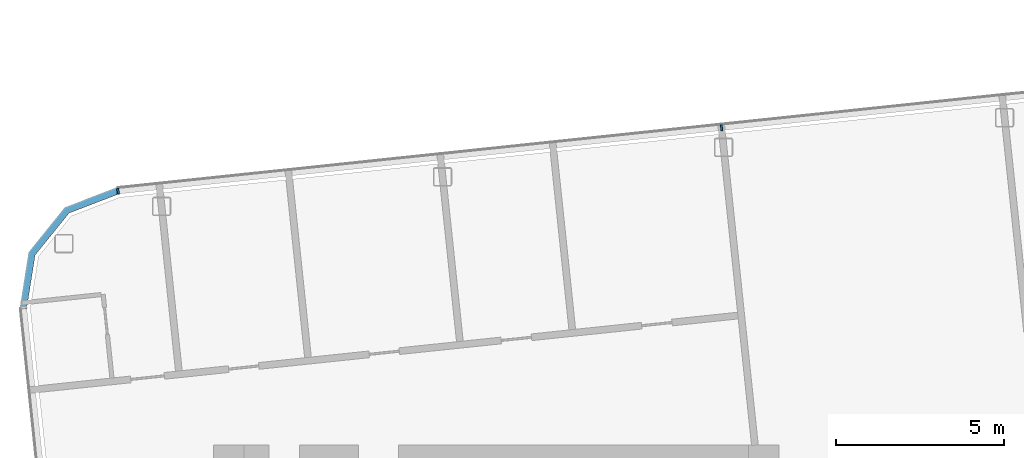
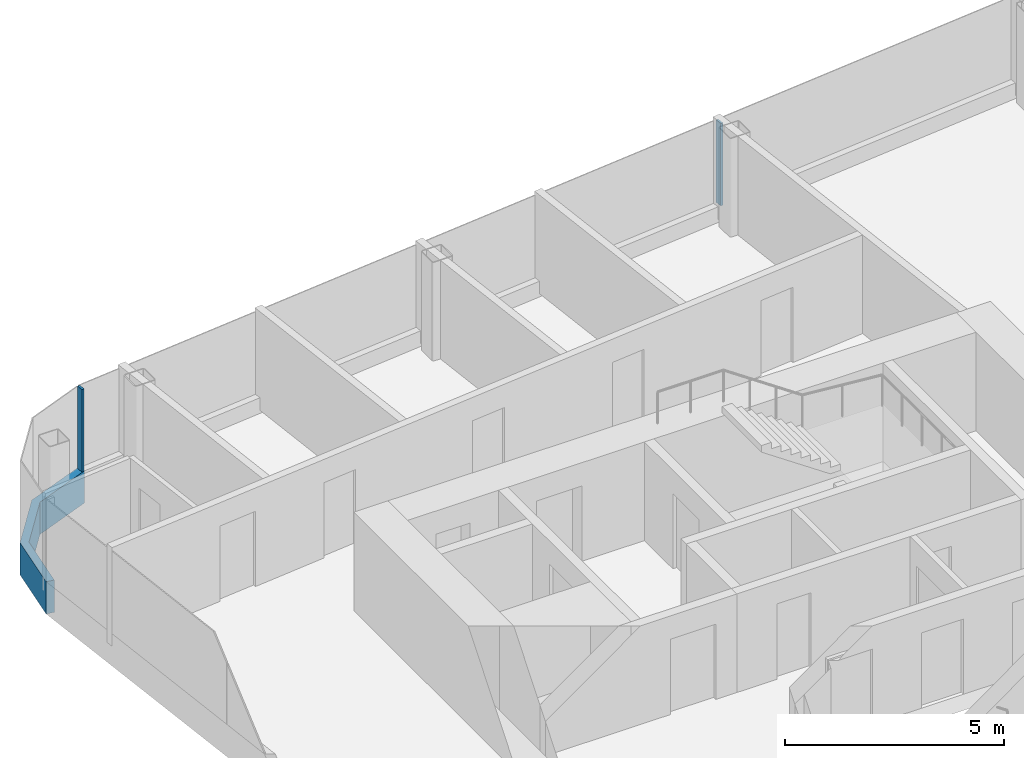
# One storey, part 8 of 27: 3 members, 2 elements without a shape of their own.
"""IFC4 building model written with IfcOpenShell, lengths in metres."""

from ifc_helpers import new_model, si_unit, direction, frame, origin, origin_2d, place, context, subcontext, project, spatial, polyline, rectangle, outline, extrude, material, layer, layer_set, material_profile, profile_set, type_object, element, aggregate, save


model = new_model("IFC4")

# Units and contexts
model_context = context("Model", 3, precision=1e-05, world=origin(), true_north=direction((0.0, 1.0)))
body_context = subcontext(model_context, "Body", "Model", "MODEL_VIEW")
ifc_project = project(units=[si_unit("LENGTHUNIT", "METRE"), si_unit("AREAUNIT", "SQUARE_METRE"), si_unit("VOLUMEUNIT", "CUBIC_METRE"), si_unit("PLANEANGLEUNIT", "RADIAN"), si_unit("MASSUNIT", "GRAM", prefix="KILO")], contexts=[model_context])

# Site, building, storey
site_placement = place(None, origin())
site = spatial("IfcSite", under=ifc_project, at=site_placement, CompositionType="ELEMENT")
building_placement = place(site_placement, origin())
building = spatial("IfcBuilding", under=site, at=building_placement, Name="Hakoniwa Tower and Hamabe Station Hall", CompositionType="ELEMENT")
storey_placement = place(building_placement, frame((0.0, 0.0, 248.60009765625)))
storey = spatial("IfcBuildingStorey", under=building, at=storey_placement, Name="L70", CompositionType="ELEMENT", Elevation=248.60009765625)

# Curtain wall, member
ifc_material_1 = material(Name="Dark low-e laminated glass", Category="glass")
ifc_layer = layer(ifc_material_1, 0.199951171875)
ifc_layer_set = layer_set([ifc_layer], Name="CW-1 UNITISED GUEST")
curtain_wall_type = type_object("IfcCurtainWallType", Name="CW-1 UNITISED GUEST", PredefinedType="NOTDEFINED", material=ifc_layer_set)
curtain_wall_1_placement = place(storey_placement, origin())
curtain_wall_1 = element("IfcCurtainWall", 1, at=curtain_wall_1_placement, inside=storey, type_object=curtain_wall_type, Name="CW-1 curtain wall", PredefinedType="NOTDEFINED")
ifc_material_2 = material(Name="Aluminium 6063-T5 black anodised", Category="aluminium")
ifc_material_profile_1 = material_profile(ifc_material_2, rectangle(XDim=0.199951171875, YDim=0.89990234375, at=origin_2d()), Name="CW SLAB-EDGE BAND 900X200")
ifc_profile_set_1 = profile_set([ifc_material_profile_1], Name="Aluminium 6063-T5 black anodised")
member_type_1 = type_object("IfcMemberType", Name="CW SLAB-EDGE BAND 900X200", PredefinedType="USERDEFINED", material=ifc_profile_set_1)
member_1_placement = place(storey_placement, frame((0.0, 0.0, -0.550048828125)))
member_1 = element("IfcMember", 2, at=member_1_placement, type_object=member_type_1, Name="CW-1 transom", ObjectType="TRANSOM", PredefinedType="USERDEFINED", context=body_context, shape_type="SweptSolid", body=[
    extrude(outline(polyline([(-36.45703125, 16.0634765625), (-38.0185546875, 15.464111328125), (-39.09716796875, 14.13232421875), (-39.35888671875, 12.47998046875), (-39.161376953125, 12.44873046875), (-38.907958984375, 14.048095703125), (-37.89697265625, 15.296630859375), (-36.38525390625, 15.876708984375), (-36.45703125, 16.0634765625)])), origin(), (0.0, 0.0, 1.0), 0.89990234375),
])
aggregate(curtain_wall_1, [member_1])

# Curtain wall, members
curtain_wall_2_placement = place(storey_placement, origin())
curtain_wall_2 = element("IfcCurtainWall", 3, at=curtain_wall_2_placement, inside=storey, type_object=curtain_wall_type, Name="CW-1 curtain wall", PredefinedType="NOTDEFINED")
ifc_material_3 = material(Name="Aluminium 6063-T5 black anodised", Category="aluminium")
ifc_material_profile_2 = material_profile(ifc_material_3, rectangle(XDim=0.06005859375, YDim=0.179931640625, at=origin_2d()), Name="CW-1 MULLION 60X180")
ifc_profile_set_2 = profile_set([ifc_material_profile_2], Name="Aluminium 6063-T5 black anodised")
member_type_2 = type_object("IfcMemberType", Name="CW-1 MULLION 60X180", PredefinedType="MULLION", material=ifc_profile_set_2)
member_2_placement = place(storey_placement, frame((-18.50390625, 17.831787109375, 0.349853515625), z_axis=(0.0, 0.0, 1.0), x_axis=(-0.994521895272, -0.104528464188, 0.0)))
member_2 = element("IfcMember", 4, at=member_2_placement, type_object=member_type_2, Name="CW-1 mullion", PredefinedType="MULLION", context=body_context, shape_type="SweptSolid", body=[
    extrude(rectangle(XDim=0.06005859375, YDim=0.179931640625, at=origin_2d()), origin(), (0.0, 0.0, 1.0), 2.300048828125),
])
member_3_placement = place(storey_placement, frame((-36.444580078125, 15.946044921875, 0.349853515625), z_axis=(0.0, 0.0, 1.0), x_axis=(-0.994521895272, -0.104528464188, 0.0)))
member_3 = element("IfcMember", 5, at=member_3_placement, type_object=member_type_2, Name="CW-1 mullion", PredefinedType="MULLION", context=body_context, shape_type="SweptSolid", body=[
    extrude(rectangle(XDim=0.06005859375, YDim=0.179931640625, at=origin_2d()), origin(), (0.0, 0.0, 1.0), 2.300048828125),
])
aggregate(curtain_wall_2, [member_2, member_3])

save(model, "model.ifc")
